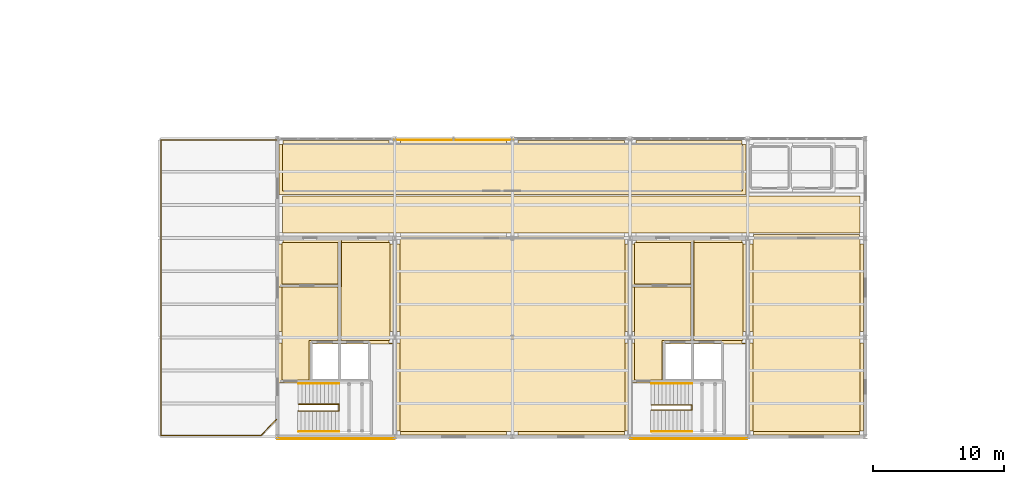
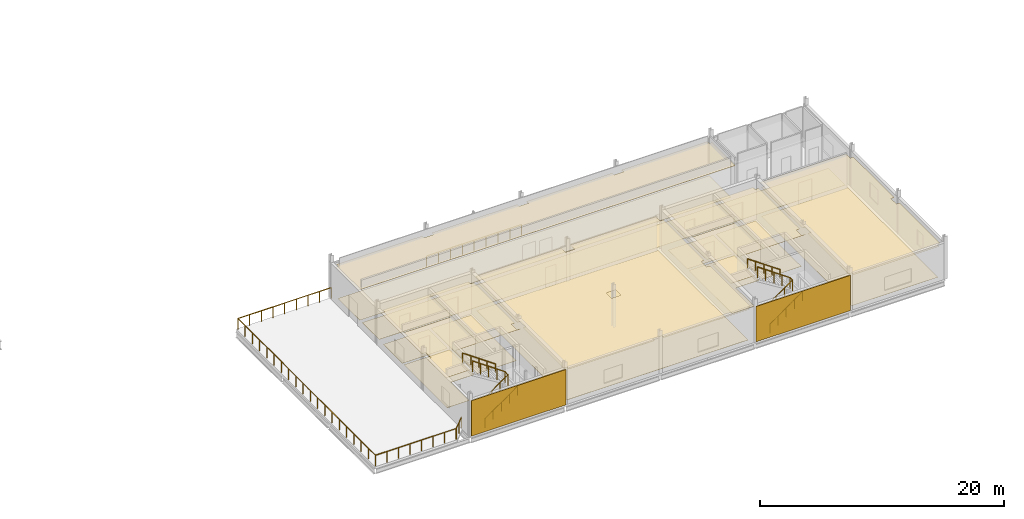
# One storey, part 46 of 48: 21 coverings, 8 railings.
"""IFC4 building model written with IfcOpenShell, lengths in metres."""

from ifc_helpers import new_model, si_unit, direction, frame, origin, origin_2d, place, context, subcontext, project, spatial, polyline, rectangle, circle, outline, extrude, material, layer, layer_set, type_object, element, save


model = new_model("IFC4")

# Units and contexts
model_context = context("Model", 3, precision=1e-05, world=origin(), true_north=direction((0.0, 1.0)))
body_context = subcontext(model_context, "Body", "Model", "MODEL_VIEW")
ifc_project = project(units=[si_unit("LENGTHUNIT", "METRE"), si_unit("AREAUNIT", "SQUARE_METRE"), si_unit("VOLUMEUNIT", "CUBIC_METRE"), si_unit("PLANEANGLEUNIT", "RADIAN"), si_unit("MASSUNIT", "GRAM", prefix="KILO")], contexts=[model_context])

# Site, building, storey
site_placement = place(None, origin())
site = spatial("IfcSite", under=ifc_project, at=site_placement, CompositionType="ELEMENT")
building_placement = place(site_placement, origin())
building = spatial("IfcBuilding", under=site, at=building_placement, Name="Caisbarro Railhouse Central Library", CompositionType="ELEMENT")
storey_placement = place(building_placement, frame((0.0, 0.0, 18.0)))
storey = spatial("IfcBuildingStorey", under=building, at=storey_placement, Name="L04", CompositionType="ELEMENT", Elevation=18.0)

# Coverings
ifc_material_1 = material(Name="Extruded architectural terracotta rainscreen", Category="masonry")
ifc_layer_1 = layer(ifc_material_1, 0.054931640625, Name="Extruded architectural terracotta rainscreen")
ifc_layer_set_1 = layer_set([ifc_layer_1], Name="Extruded architectural terracotta rainscreen")
covering_type_1 = type_object("IfcCoveringType", Name="CLD-TER01", PredefinedType="CLADDING", material=ifc_layer_set_1)
for number, where, z_axis, x_axis, name in (
    (1, (67.5, -0.151611328125, 0.02978515625), (0.0, 0.0, 1.0), (1.0, 0.0, 0.0), "TER01 facade cladding L04-031"),
    (2, (94.5, -0.151611328125, 0.02978515625), (0.0, 0.0, 1.0), (1.0, 0.0, 0.0), "TER01 facade cladding L04-032"),
):
    element("IfcCovering", number, at=place(storey_placement, frame(where, z_axis=z_axis, x_axis=x_axis)), inside=storey, type_object=covering_type_1, Name=name, PredefinedType="CLADDING", context=body_context, shape_type="SweptSolid", body=[
        extrude(rectangle(XDim=8.9599609375, YDim=0.054931640625, at=origin_2d()), origin(), (0.0, 0.0, 1.0), 3.551025390625),
    ])
ifc_material_2 = material(Name="Perforated mineral-fibre acoustic ceiling tile")
ifc_layer_2 = layer(ifc_material_2, 0.01806640625, Name="Perforated mineral-fibre acoustic ceiling tile")
ifc_layer_set_2 = layer_set([ifc_layer_2], Name="Perforated mineral-fibre acoustic ceiling tile")
covering_type_2 = type_object("IfcCoveringType", Name="COV-CL01", PredefinedType="CEILING", material=ifc_layer_set_2)
covering_1_placement = place(storey_placement, frame((0.0, 0.0, 3.25)))
element("IfcCovering", 3, at=covering_1_placement, inside=storey, type_object=covering_type_2, Name="CL01 acoustic ceiling Firefighting Lift Lobby K1", PredefinedType="CEILING", context=body_context, shape_type="SweptSolid", body=[
    extrude(outline(polyline([(63.090087890625, 7.159912109375), (63.43994140625, 7.159912109375), (63.43994140625, 8.0400390625), (63.090087890625, 8.0400390625), (63.090087890625, 11.7099609375), (67.909912109375, 11.7099609375), (67.909912109375, 7.090087890625), (65.7099609375, 7.090087890625), (65.7099609375, 4.090087890625), (63.090087890625, 4.090087890625), (63.090087890625, 7.159912109375)])), origin(), (0.0, 0.0, 1.0), 0.01806640625),
])
covering_2_placement = place(storey_placement, frame((0.0, 0.0, 3.25)))
element("IfcCovering", 4, at=covering_2_placement, inside=storey, type_object=covering_type_2, Name="CL01 acoustic ceiling Lift Lobby K1", PredefinedType="CEILING", context=body_context, shape_type="SweptSolid", body=[
    extrude(outline(polyline([(71.56005859375, 15.110107421875), (71.56005859375, 14.760009765625), (71.909912109375, 14.760009765625), (71.909912109375, 8.0400390625), (71.56005859375, 8.0400390625), (71.56005859375, 7.159912109375), (71.909912109375, 7.159912109375), (71.909912109375, 7.090087890625), (67.639892578125, 7.090087890625), (67.639892578125, 15.110107421875), (71.56005859375, 15.110107421875)])), origin(), (0.0, 0.0, 1.0), 0.01806640625),
])
covering_3_placement = place(storey_placement, frame((0.0, 0.0, 3.25)))
element("IfcCovering", 5, at=covering_3_placement, inside=storey, type_object=covering_type_2, Name="CL01 acoustic ceiling Core Vestibule K1", PredefinedType="CEILING", context=body_context, shape_type="SweptSolid", body=[
    extrude(outline(polyline([(63.090087890625, 14.760009765625), (63.43994140625, 14.760009765625), (63.43994140625, 15.110107421875), (67.909912109375, 15.110107421875), (67.909912109375, 11.43994140625), (63.090087890625, 11.43994140625), (63.090087890625, 14.760009765625)])), origin(), (0.0, 0.0, 1.0), 0.01806640625),
])
covering_4_placement = place(storey_placement, frame((0.0, 0.0, 3.25)))
element("IfcCovering", 6, at=covering_4_placement, inside=storey, type_object=covering_type_2, Name="CL01 acoustic ceiling Firefighting Lift Lobby K2", PredefinedType="CEILING", context=body_context, shape_type="SweptSolid", body=[
    extrude(outline(polyline([(90.090087890625, 7.159912109375), (90.43994140625, 7.159912109375), (90.43994140625, 8.0400390625), (90.090087890625, 8.0400390625), (90.090087890625, 11.7099609375), (94.909912109375, 11.7099609375), (94.909912109375, 7.090087890625), (92.7099609375, 7.090087890625), (92.7099609375, 4.090087890625), (90.090087890625, 4.090087890625), (90.090087890625, 7.159912109375)])), origin(), (0.0, 0.0, 1.0), 0.01806640625),
])
covering_5_placement = place(storey_placement, frame((0.0, 0.0, 3.25)))
element("IfcCovering", 7, at=covering_5_placement, inside=storey, type_object=covering_type_2, Name="CL01 acoustic ceiling Lift Lobby K2", PredefinedType="CEILING", context=body_context, shape_type="SweptSolid", body=[
    extrude(outline(polyline([(98.56005859375, 15.110107421875), (98.56005859375, 14.760009765625), (98.909912109375, 14.760009765625), (98.909912109375, 8.0400390625), (98.56005859375, 8.0400390625), (98.56005859375, 7.159912109375), (98.909912109375, 7.159912109375), (98.909912109375, 7.090087890625), (94.639892578125, 7.090087890625), (94.639892578125, 15.110107421875), (98.56005859375, 15.110107421875)])), origin(), (0.0, 0.0, 1.0), 0.01806640625),
])
covering_6_placement = place(storey_placement, frame((0.0, 0.0, 3.25)))
element("IfcCovering", 8, at=covering_6_placement, inside=storey, type_object=covering_type_2, Name="CL01 acoustic ceiling Core Vestibule K2", PredefinedType="CEILING", context=body_context, shape_type="SweptSolid", body=[
    extrude(outline(polyline([(90.090087890625, 14.760009765625), (90.43994140625, 14.760009765625), (90.43994140625, 15.110107421875), (94.909912109375, 15.110107421875), (94.909912109375, 11.43994140625), (90.090087890625, 11.43994140625), (90.090087890625, 14.760009765625)])), origin(), (0.0, 0.0, 1.0), 0.01806640625),
])
covering_7_placement = place(storey_placement, frame((0.0, 0.0, 3.25)))
element("IfcCovering", 9, at=covering_7_placement, inside=storey, type_object=covering_type_2, Name="CL01 acoustic ceiling Compact Mobile Shelving Hall", PredefinedType="CEILING", context=body_context, shape_type="SweptSolid", body=[
    extrude(outline(polyline([(72.43994140625, 0.43994140625), (72.139892578125, 0.43994140625), (72.139892578125, 7.159912109375), (72.43994140625, 7.159912109375), (72.43994140625, 8.0400390625), (72.139892578125, 8.0400390625), (72.139892578125, 14.760009765625), (72.43994140625, 14.760009765625), (72.43994140625, 15.4599609375), (80.56005859375, 15.4599609375), (80.56005859375, 14.760009765625), (81.43994140625, 14.760009765625), (81.43994140625, 15.4599609375), (89.56005859375, 15.4599609375), (89.56005859375, 14.760009765625), (89.860107421875, 14.760009765625), (89.860107421875, 8.0400390625), (89.56005859375, 8.0400390625), (89.56005859375, 7.159912109375), (89.860107421875, 7.159912109375), (89.860107421875, 0.43994140625), (89.56005859375, 0.43994140625), (89.56005859375, 0.139892578125), (81.43994140625, 0.139892578125), (81.43994140625, 0.43994140625), (80.56005859375, 0.43994140625), (80.56005859375, 0.139892578125), (72.43994140625, 0.139892578125), (72.43994140625, 0.43994140625)]), holes=[polyline([(81.43994140625, 8.0400390625), (80.56005859375, 8.0400390625), (80.56005859375, 7.159912109375), (81.43994140625, 7.159912109375), (81.43994140625, 8.0400390625)])]), origin(), (0.0, 0.0, 1.0), 0.01806640625),
])
covering_8_placement = place(storey_placement, frame((0.0, 0.0, 3.25)))
element("IfcCovering", 10, at=covering_8_placement, inside=storey, type_object=covering_type_2, Name="CL01 acoustic ceiling Historical Newspaper Closed Archive", PredefinedType="CEILING", context=body_context, shape_type="SweptSolid", body=[
    extrude(outline(polyline([(99.139892578125, 0.43994140625), (99.139892578125, 7.159912109375), (99.43994140625, 7.159912109375), (99.43994140625, 8.0400390625), (99.139892578125, 8.0400390625), (99.139892578125, 14.760009765625), (99.43994140625, 14.760009765625), (99.43994140625, 15.4599609375), (107.56005859375, 15.4599609375), (107.56005859375, 14.760009765625), (107.860107421875, 14.760009765625), (107.860107421875, 8.0400390625), (107.56005859375, 8.0400390625), (107.56005859375, 7.159912109375), (107.860107421875, 7.159912109375), (107.860107421875, 0.43994140625), (107.56005859375, 0.43994140625), (107.56005859375, 0.139892578125), (99.43994140625, 0.139892578125), (99.43994140625, 0.43994140625), (99.139892578125, 0.43994140625)])), origin(), (0.0, 0.0, 1.0), 0.01806640625),
])
covering_9_placement = place(storey_placement, frame((0.0, 0.0, 3.25)))
element("IfcCovering", 11, at=covering_9_placement, inside=storey, type_object=covering_type_2, Name="CL01 acoustic ceiling Archival Appraisal Office", PredefinedType="CEILING", context=body_context, shape_type="SweptSolid", body=[
    extrude(outline(polyline([(71.56005859375, 22.360107421875), (72.43994140625, 22.360107421875), (72.43994140625, 22.659912109375), (80.56005859375, 22.659912109375), (80.56005859375, 22.360107421875), (81.43994140625, 22.360107421875), (81.43994140625, 22.659912109375), (89.56005859375, 22.659912109375), (89.56005859375, 22.360107421875), (90.43994140625, 22.360107421875), (90.43994140625, 22.659912109375), (98.56005859375, 22.659912109375), (98.56005859375, 22.360107421875), (98.860107421875, 22.360107421875), (98.860107421875, 18.5400390625), (63.139892578125, 18.5400390625), (63.139892578125, 22.360107421875), (63.43994140625, 22.360107421875), (63.43994140625, 22.659912109375), (71.56005859375, 22.659912109375), (71.56005859375, 22.360107421875)])), origin(), (0.0, 0.0, 1.0), 0.01806640625),
])
ifc_material_3 = material(Name="Polished cementitious terrazzo flooring")
ifc_layer_3 = layer(ifc_material_3, 0.02197265625, Name="Polished cementitious terrazzo flooring")
ifc_layer_set_3 = layer_set([ifc_layer_3], Name="Polished cementitious terrazzo flooring")
covering_type_3 = type_object("IfcCoveringType", Name="COV-FL01", PredefinedType="FLOORING", material=ifc_layer_set_3)
covering_10_placement = place(storey_placement, origin())
element("IfcCovering", 12, at=covering_10_placement, inside=storey, type_object=covering_type_3, Name="FL01 flooring Firefighting Lift Lobby K1", PredefinedType="FLOORING", context=body_context, shape_type="SweptSolid", body=[
    extrude(outline(polyline([(63.35009765625, 4.35009765625), (65.449951171875, 4.35009765625), (65.449951171875, 7.35009765625), (67.64990234375, 7.35009765625), (67.64990234375, 11.449951171875), (63.35009765625, 11.449951171875), (63.35009765625, 4.35009765625)])), origin(), (0.0, 0.0, 1.0), 0.02197265625),
])
covering_11_placement = place(storey_placement, origin())
element("IfcCovering", 13, at=covering_11_placement, inside=storey, type_object=covering_type_3, Name="FL01 flooring Lift Lobby K1", PredefinedType="FLOORING", context=body_context, shape_type="SweptSolid", body=[
    extrude(outline(polyline([(67.89990234375, 7.35009765625), (71.64990234375, 7.35009765625), (71.64990234375, 14.85009765625), (67.89990234375, 14.85009765625), (67.89990234375, 7.35009765625)])), origin(), (0.0, 0.0, 1.0), 0.02197265625),
])
covering_12_placement = place(storey_placement, origin())
element("IfcCovering", 14, at=covering_12_placement, inside=storey, type_object=covering_type_3, Name="FL01 flooring Firefighting Lift Lobby K2", PredefinedType="FLOORING", context=body_context, shape_type="SweptSolid", body=[
    extrude(outline(polyline([(90.35009765625, 4.35009765625), (92.449951171875, 4.35009765625), (92.449951171875, 7.35009765625), (94.64990234375, 7.35009765625), (94.64990234375, 11.449951171875), (90.35009765625, 11.449951171875), (90.35009765625, 4.35009765625)])), origin(), (0.0, 0.0, 1.0), 0.02197265625),
])
covering_13_placement = place(storey_placement, origin())
element("IfcCovering", 15, at=covering_13_placement, inside=storey, type_object=covering_type_3, Name="FL01 flooring Lift Lobby K2", PredefinedType="FLOORING", context=body_context, shape_type="SweptSolid", body=[
    extrude(outline(polyline([(94.89990234375, 7.35009765625), (98.64990234375, 7.35009765625), (98.64990234375, 14.85009765625), (94.89990234375, 14.85009765625), (94.89990234375, 7.35009765625)])), origin(), (0.0, 0.0, 1.0), 0.02197265625),
])
covering_14_placement = place(storey_placement, origin())
element("IfcCovering", 16, at=covering_14_placement, inside=storey, type_object=covering_type_3, Name="FL01 flooring Compact Mobile Shelving Hall", PredefinedType="FLOORING", context=body_context, shape_type="SweptSolid", body=[
    extrude(outline(polyline([(72.39990234375, 0.39990234375), (89.60009765625, 0.39990234375), (89.60009765625, 15.199951171875), (72.39990234375, 15.199951171875), (72.39990234375, 0.39990234375)])), origin(), (0.0, 0.0, 1.0), 0.02197265625),
])
covering_15_placement = place(storey_placement, origin())
element("IfcCovering", 17, at=covering_15_placement, inside=storey, type_object=covering_type_3, Name="FL01 flooring Compact Archive Corridor L04", PredefinedType="FLOORING", context=body_context, shape_type="SweptSolid", body=[
    extrude(outline(polyline([(63.39990234375, 15.60009765625), (107.60009765625, 15.60009765625), (107.60009765625, 18.39990234375), (63.39990234375, 18.39990234375), (63.39990234375, 15.60009765625)])), origin(), (0.0, 0.0, 1.0), 0.02197265625),
])
ifc_material_4 = material(Name="Heavy-duty acoustic linoleum flooring")
ifc_layer_4 = layer(ifc_material_4, 0.011962890625, Name="Heavy-duty acoustic linoleum flooring")
ifc_layer_set_4 = layer_set([ifc_layer_4], Name="Heavy-duty acoustic linoleum flooring")
covering_type_4 = type_object("IfcCoveringType", Name="COV-FL02", PredefinedType="FLOORING", material=ifc_layer_set_4)
covering_16_placement = place(storey_placement, origin())
element("IfcCovering", 18, at=covering_16_placement, inside=storey, type_object=covering_type_4, Name="FL02 flooring Core Vestibule K1", PredefinedType="FLOORING", context=body_context, shape_type="SweptSolid", body=[
    extrude(outline(polyline([(63.35009765625, 11.699951171875), (67.64990234375, 11.699951171875), (67.64990234375, 14.85009765625), (63.35009765625, 14.85009765625), (63.35009765625, 11.699951171875)])), origin(), (0.0, 0.0, 1.0), 0.011962890625),
])
covering_17_placement = place(storey_placement, origin())
element("IfcCovering", 19, at=covering_17_placement, inside=storey, type_object=covering_type_4, Name="FL02 flooring Core Vestibule K2", PredefinedType="FLOORING", context=body_context, shape_type="SweptSolid", body=[
    extrude(outline(polyline([(90.35009765625, 11.699951171875), (94.64990234375, 11.699951171875), (94.64990234375, 14.85009765625), (90.35009765625, 14.85009765625), (90.35009765625, 11.699951171875)])), origin(), (0.0, 0.0, 1.0), 0.011962890625),
])
covering_18_placement = place(storey_placement, origin())
element("IfcCovering", 20, at=covering_18_placement, inside=storey, type_object=covering_type_4, Name="FL02 flooring Historical Newspaper Closed Archive", PredefinedType="FLOORING", context=body_context, shape_type="SweptSolid", body=[
    extrude(outline(polyline([(99.39990234375, 0.39990234375), (107.60009765625, 0.39990234375), (107.60009765625, 15.199951171875), (99.39990234375, 15.199951171875), (99.39990234375, 0.39990234375)])), origin(), (0.0, 0.0, 1.0), 0.011962890625),
])
covering_19_placement = place(storey_placement, origin())
element("IfcCovering", 21, at=covering_19_placement, inside=storey, type_object=covering_type_4, Name="FL02 flooring Archival Appraisal Office", PredefinedType="FLOORING", context=body_context, shape_type="SweptSolid", body=[
    extrude(outline(polyline([(63.39990234375, 18.800048828125), (98.60009765625, 18.800048828125), (98.60009765625, 22.39990234375), (63.39990234375, 22.39990234375), (63.39990234375, 18.800048828125)])), origin(), (0.0, 0.0, 1.0), 0.011962890625),
])

# Railings
ifc_material_5 = material(Name="Laminated safety glass balustrade with stainless top rail", Category="glass")
railing_type_1 = type_object("IfcRailingType", Name="RLG-ATR112", PredefinedType="GUARDRAIL", material=ifc_material_5)
railing_1_placement = place(storey_placement, frame((72.0, 22.699951171875, 0.0)))
element("IfcRailing", 22, at=railing_1_placement, inside=storey, type_object=railing_type_1, Name="RG02 Interior Void Balustrade L04-27", PredefinedType="GUARDRAIL", context=body_context, shape_type="SweptSolid", body=[
    extrude(circle(Radius=0.02392578125, at=origin_2d()), frame((0.0, 0.0, 1.09619140625), z_axis=(1.0, 0.0, 0.0), x_axis=(0.0, 1.0, 0.0)), (0.0, 0.0, 1.0), 9.0),
    extrude(circle(Radius=0.02099609375, at=origin_2d()), origin(), (0.0, 0.0, 1.0), 1.072021484375),
    extrude(circle(Radius=0.02099609375, at=origin_2d()), frame((1.125, 0.0, 0.0)), (0.0, 0.0, 1.0), 1.072021484375),
    extrude(circle(Radius=0.02099609375, at=origin_2d()), frame((2.25, 0.0, 0.0)), (0.0, 0.0, 1.0), 1.072021484375),
    extrude(circle(Radius=0.02099609375, at=origin_2d()), frame((3.375, 0.0, 0.0)), (0.0, 0.0, 1.0), 1.072021484375),
    extrude(circle(Radius=0.02099609375, at=origin_2d()), frame((4.5, 0.0, 0.0)), (0.0, 0.0, 1.0), 1.072021484375),
    extrude(circle(Radius=0.02099609375, at=origin_2d()), frame((5.625, 0.0, 0.0)), (0.0, 0.0, 1.0), 1.072021484375),
    extrude(circle(Radius=0.02099609375, at=origin_2d()), frame((6.75, 0.0, 0.0)), (0.0, 0.0, 1.0), 1.072021484375),
    extrude(circle(Radius=0.02099609375, at=origin_2d()), frame((7.875, 0.0, 0.0)), (0.0, 0.0, 1.0), 1.072021484375),
    extrude(circle(Radius=0.02099609375, at=origin_2d()), frame((9.0, 0.0, 0.0)), (0.0, 0.0, 1.0), 1.072021484375),
])
ifc_material_6 = material(Name="Brushed stainless steel Grade 316", Category="steel")
railing_type_2 = type_object("IfcRailingType", Name="RLG-EXT110", PredefinedType="GUARDRAIL", material=ifc_material_6)
railing_2_placement = place(storey_placement, frame((62.949951171875, 22.699951171875, 0.0)))
element("IfcRailing", 23, at=railing_2_placement, inside=storey, type_object=railing_type_2, Name="RG01 Terrace Guardrail TR-L04-S", PredefinedType="GUARDRAIL", context=body_context, shape_type="SweptSolid", body=[
    extrude(circle(Radius=0.02392578125, at=origin_2d()), frame((0.0, 0.0, 1.076171875), z_axis=(-1.0, 0.0, 0.0), x_axis=(0.0, -1.0, 0.0)), (0.0, 0.0, 1.0), 8.849853515625),
    extrude(circle(Radius=0.02392578125, at=origin_2d()), frame((-8.849853515625, 0.0, 1.076171875), z_axis=(0.0, -1.0, 0.0), x_axis=(1.0, 0.0, 0.0)), (0.0, 0.0, 1.0), 22.599853515625),
    extrude(circle(Radius=0.02392578125, at=origin_2d()), frame((-8.849853515625, -22.599853515625, 1.076171875), z_axis=(1.0, 0.0, 0.0), x_axis=(0.0, 1.0, 0.0)), (0.0, 0.0, 1.0), 7.64990234375),
    extrude(circle(Radius=0.02392578125, at=origin_2d()), frame((-1.199951171875, -22.599853515625, 1.076171875), z_axis=(0.707106781187, 0.707106781187, 0.0), x_axis=(-0.707106781187, 0.707106781187, 0.0)), (0.0, 0.0, 1.0), 1.697021484375),
    extrude(circle(Radius=0.02099609375, at=origin_2d()), origin(), (0.0, 0.0, 1.0), 1.052001953125),
    extrude(circle(Radius=0.02099609375, at=origin_2d()), frame((-1.106201171875, 0.0, 0.0)), (0.0, 0.0, 1.0), 1.052001953125),
    extrude(circle(Radius=0.02099609375, at=origin_2d()), frame((-2.21240234375, 0.0, 0.0)), (0.0, 0.0, 1.0), 1.052001953125),
    extrude(circle(Radius=0.02099609375, at=origin_2d()), frame((-3.318603515625, 0.0, 0.0)), (0.0, 0.0, 1.0), 1.052001953125),
    extrude(circle(Radius=0.02099609375, at=origin_2d()), frame((-4.4248046875, 0.0, 0.0)), (0.0, 0.0, 1.0), 1.052001953125),
    extrude(circle(Radius=0.02099609375, at=origin_2d()), frame((-5.53125, 0.0, 0.0)), (0.0, 0.0, 1.0), 1.052001953125),
    extrude(circle(Radius=0.02099609375, at=origin_2d()), frame((-6.637451171875, 0.0, 0.0)), (0.0, 0.0, 1.0), 1.052001953125),
    extrude(circle(Radius=0.02099609375, at=origin_2d()), frame((-7.74365234375, 0.0, 0.0)), (0.0, 0.0, 1.0), 1.052001953125),
    extrude(circle(Radius=0.02099609375, at=origin_2d()), frame((-8.849853515625, 0.0, 0.0)), (0.0, 0.0, 1.0), 1.052001953125),
    extrude(circle(Radius=0.02099609375, at=origin_2d()), frame((-8.849853515625, -1.189453125, 0.0)), (0.0, 0.0, 1.0), 1.052001953125),
    extrude(circle(Radius=0.02099609375, at=origin_2d()), frame((-8.849853515625, -2.37890625, 0.0)), (0.0, 0.0, 1.0), 1.052001953125),
    extrude(circle(Radius=0.02099609375, at=origin_2d()), frame((-8.849853515625, -3.568359375, 0.0)), (0.0, 0.0, 1.0), 1.052001953125),
    extrude(circle(Radius=0.02099609375, at=origin_2d()), frame((-8.849853515625, -4.7578125, 0.0)), (0.0, 0.0, 1.0), 1.052001953125),
    extrude(circle(Radius=0.02099609375, at=origin_2d()), frame((-8.849853515625, -5.947265625, 0.0)), (0.0, 0.0, 1.0), 1.052001953125),
    extrude(circle(Radius=0.02099609375, at=origin_2d()), frame((-8.849853515625, -7.13671875, 0.0)), (0.0, 0.0, 1.0), 1.052001953125),
    extrude(circle(Radius=0.02099609375, at=origin_2d()), frame((-8.849853515625, -8.326171875, 0.0)), (0.0, 0.0, 1.0), 1.052001953125),
    extrude(circle(Radius=0.02099609375, at=origin_2d()), frame((-8.849853515625, -9.515625, 0.0)), (0.0, 0.0, 1.0), 1.052001953125),
    extrude(circle(Radius=0.02099609375, at=origin_2d()), frame((-8.849853515625, -10.705078125, 0.0)), (0.0, 0.0, 1.0), 1.052001953125),
    extrude(circle(Radius=0.02099609375, at=origin_2d()), frame((-8.849853515625, -11.894775390625, 0.0)), (0.0, 0.0, 1.0), 1.052001953125),
    extrude(circle(Radius=0.02099609375, at=origin_2d()), frame((-8.849853515625, -13.084228515625, 0.0)), (0.0, 0.0, 1.0), 1.052001953125),
    extrude(circle(Radius=0.02099609375, at=origin_2d()), frame((-8.849853515625, -14.273681640625, 0.0)), (0.0, 0.0, 1.0), 1.052001953125),
    extrude(circle(Radius=0.02099609375, at=origin_2d()), frame((-8.849853515625, -15.463134765625, 0.0)), (0.0, 0.0, 1.0), 1.052001953125),
    extrude(circle(Radius=0.02099609375, at=origin_2d()), frame((-8.849853515625, -16.652587890625, 0.0)), (0.0, 0.0, 1.0), 1.052001953125),
    extrude(circle(Radius=0.02099609375, at=origin_2d()), frame((-8.849853515625, -17.842041015625, 0.0)), (0.0, 0.0, 1.0), 1.052001953125),
    extrude(circle(Radius=0.02099609375, at=origin_2d()), frame((-8.849853515625, -19.031494140625, 0.0)), (0.0, 0.0, 1.0), 1.052001953125),
    extrude(circle(Radius=0.02099609375, at=origin_2d()), frame((-8.849853515625, -20.220947265625, 0.0)), (0.0, 0.0, 1.0), 1.052001953125),
    extrude(circle(Radius=0.02099609375, at=origin_2d()), frame((-8.849853515625, -21.410400390625, 0.0)), (0.0, 0.0, 1.0), 1.052001953125),
    extrude(circle(Radius=0.02099609375, at=origin_2d()), frame((-8.849853515625, -22.599853515625, 0.0)), (0.0, 0.0, 1.0), 1.052001953125),
    extrude(circle(Radius=0.02099609375, at=origin_2d()), frame((-7.757080078125, -22.599853515625, 0.0)), (0.0, 0.0, 1.0), 1.052001953125),
    extrude(circle(Radius=0.02099609375, at=origin_2d()), frame((-6.6640625, -22.599853515625, 0.0)), (0.0, 0.0, 1.0), 1.052001953125),
    extrude(circle(Radius=0.02099609375, at=origin_2d()), frame((-5.5712890625, -22.599853515625, 0.0)), (0.0, 0.0, 1.0), 1.052001953125),
    extrude(circle(Radius=0.02099609375, at=origin_2d()), frame((-4.478515625, -22.599853515625, 0.0)), (0.0, 0.0, 1.0), 1.052001953125),
    extrude(circle(Radius=0.02099609375, at=origin_2d()), frame((-3.3857421875, -22.599853515625, 0.0)), (0.0, 0.0, 1.0), 1.052001953125),
    extrude(circle(Radius=0.02099609375, at=origin_2d()), frame((-2.292724609375, -22.599853515625, 0.0)), (0.0, 0.0, 1.0), 1.052001953125),
    extrude(circle(Radius=0.02099609375, at=origin_2d()), frame((-1.199951171875, -22.599853515625, 0.0)), (0.0, 0.0, 1.0), 1.052001953125),
    extrude(circle(Radius=0.02099609375, at=origin_2d()), frame((-0.60009765625, -22.0, 0.0)), (0.0, 0.0, 1.0), 1.052001953125),
    extrude(circle(Radius=0.02099609375, at=origin_2d()), frame((0.0, -21.39990234375, 0.0)), (0.0, 0.0, 1.0), 1.052001953125),
])
railing_type_3 = type_object("IfcRailingType", Name="RLG-STR092", PredefinedType="HANDRAIL", material=ifc_material_6)
railing_3_placement = place(storey_placement, frame((64.64990234375, 0.389892578125, 0.0)))
element("IfcRailing", 24, at=railing_3_placement, inside=storey, type_object=railing_type_3, Name="Stair ST-01 Outer Handrail F1 L04", PredefinedType="HANDRAIL", context=body_context, shape_type="SweptSolid", body=[
    extrude(circle(Radius=0.02392578125, at=origin_2d()), frame((0.0, 0.0, 0.89599609375), z_axis=(0.819624179701, 0.0, 0.572901565759), x_axis=(0.0, 1.0, 0.0)), (0.0, 0.0, 1.0), 3.77001953125),
    extrude(circle(Radius=0.02099609375, at=origin_2d()), origin(), (0.0, 0.0, 1.0), 0.871826171875),
    extrude(circle(Radius=0.02099609375, at=origin_2d()), frame((0.7724609375, 0.0, 0.5400390625)), (0.0, 0.0, 1.0), 0.871826171875),
    extrude(circle(Radius=0.02099609375, at=origin_2d()), frame((1.544921875, 0.0, 1.080078125)), (0.0, 0.0, 1.0), 0.871826171875),
    extrude(circle(Radius=0.02099609375, at=origin_2d()), frame((2.317626953125, 0.0, 1.619873046875)), (0.0, 0.0, 1.0), 0.871826171875),
    extrude(circle(Radius=0.02099609375, at=origin_2d()), frame((3.090087890625, 0.0, 2.159912109375)), (0.0, 0.0, 1.0), 0.871826171875),
])
railing_4_placement = place(storey_placement, frame((67.739990234375, 4.06005859375, 2.159912109375)))
element("IfcRailing", 25, at=railing_4_placement, inside=storey, type_object=railing_type_3, Name="Stair ST-01 Outer Handrail F2 L04", PredefinedType="HANDRAIL", context=body_context, shape_type="SweptSolid", body=[
    extrude(circle(Radius=0.02392578125, at=origin_2d()), frame((0.0, 0.0, 0.89599609375), z_axis=(-0.819593772312, 0.0, 0.572945065767), x_axis=(0.0, -1.0, 0.0)), (0.0, 0.0, 1.0), 3.770263671875),
    extrude(circle(Radius=0.02099609375, at=origin_2d()), origin(), (0.0, 0.0, 1.0), 0.871826171875),
    extrude(circle(Radius=0.02099609375, at=origin_2d()), frame((-0.7724609375, 0.0, 0.5400390625)), (0.0, 0.0, 1.0), 0.871826171875),
    extrude(circle(Radius=0.02099609375, at=origin_2d()), frame((-1.544921875, 0.0, 1.080078125)), (0.0, 0.0, 1.0), 0.871826171875),
    extrude(circle(Radius=0.02099609375, at=origin_2d()), frame((-2.317626953125, 0.0, 1.6201171875)), (0.0, 0.0, 1.0), 0.871826171875),
    extrude(circle(Radius=0.02099609375, at=origin_2d()), frame((-3.090087890625, 0.0, 2.16015625)), (0.0, 0.0, 1.0), 0.871826171875),
])
railing_5_placement = place(storey_placement, frame((91.64990234375, 0.389892578125, 0.0)))
element("IfcRailing", 26, at=railing_5_placement, inside=storey, type_object=railing_type_3, Name="Stair ST-02 Outer Handrail F1 L04", PredefinedType="HANDRAIL", context=body_context, shape_type="SweptSolid", body=[
    extrude(circle(Radius=0.02392578125, at=origin_2d()), frame((0.0, 0.0, 0.89599609375), z_axis=(0.819624179701, 0.0, 0.572901565759), x_axis=(0.0, 1.0, 0.0)), (0.0, 0.0, 1.0), 3.77001953125),
    extrude(circle(Radius=0.02099609375, at=origin_2d()), origin(), (0.0, 0.0, 1.0), 0.871826171875),
    extrude(circle(Radius=0.02099609375, at=origin_2d()), frame((0.7724609375, 0.0, 0.5400390625)), (0.0, 0.0, 1.0), 0.871826171875),
    extrude(circle(Radius=0.02099609375, at=origin_2d()), frame((1.544921875, 0.0, 1.080078125)), (0.0, 0.0, 1.0), 0.871826171875),
    extrude(circle(Radius=0.02099609375, at=origin_2d()), frame((2.317626953125, 0.0, 1.619873046875)), (0.0, 0.0, 1.0), 0.871826171875),
    extrude(circle(Radius=0.02099609375, at=origin_2d()), frame((3.090087890625, 0.0, 2.159912109375)), (0.0, 0.0, 1.0), 0.871826171875),
])
railing_6_placement = place(storey_placement, frame((94.739990234375, 4.06005859375, 2.159912109375)))
element("IfcRailing", 27, at=railing_6_placement, inside=storey, type_object=railing_type_3, Name="Stair ST-02 Outer Handrail F2 L04", PredefinedType="HANDRAIL", context=body_context, shape_type="SweptSolid", body=[
    extrude(circle(Radius=0.02392578125, at=origin_2d()), frame((0.0, 0.0, 0.89599609375), z_axis=(-0.819593772312, 0.0, 0.572945065767), x_axis=(0.0, -1.0, 0.0)), (0.0, 0.0, 1.0), 3.770263671875),
    extrude(circle(Radius=0.02099609375, at=origin_2d()), origin(), (0.0, 0.0, 1.0), 0.871826171875),
    extrude(circle(Radius=0.02099609375, at=origin_2d()), frame((-0.7724609375, 0.0, 0.5400390625)), (0.0, 0.0, 1.0), 0.871826171875),
    extrude(circle(Radius=0.02099609375, at=origin_2d()), frame((-1.544921875, 0.0, 1.080078125)), (0.0, 0.0, 1.0), 0.871826171875),
    extrude(circle(Radius=0.02099609375, at=origin_2d()), frame((-2.317626953125, 0.0, 1.6201171875)), (0.0, 0.0, 1.0), 0.871826171875),
    extrude(circle(Radius=0.02099609375, at=origin_2d()), frame((-3.090087890625, 0.0, 2.16015625)), (0.0, 0.0, 1.0), 0.871826171875),
])
railing_type_4 = type_object("IfcRailingType", Name="RLG-STR110", PredefinedType="GUARDRAIL", material=ifc_material_6)
railing_7_placement = place(storey_placement, frame((64.64990234375, 1.969970703125, 0.0)))
element("IfcRailing", 28, at=railing_7_placement, inside=storey, type_object=railing_type_4, Name="Stair ST-01 Inner Well Guardrail L04", PredefinedType="GUARDRAIL", context=body_context, shape_type="SweptSolid", body=[
    extrude(circle(Radius=0.02392578125, at=origin_2d()), frame((0.0, 0.0, 1.076171875), z_axis=(0.819624179701, 0.0, 0.572901565759), x_axis=(0.0, 1.0, 0.0)), (0.0, 0.0, 1.0), 3.77001953125),
    extrude(circle(Radius=0.02392578125, at=origin_2d()), frame((3.090087890625, 0.0, 3.23583984375), z_axis=(0.0, 1.0, 0.0), x_axis=(-1.0, 0.0, 0.0)), (0.0, 0.0, 1.0), 0.510009765625),
    extrude(circle(Radius=0.02392578125, at=origin_2d()), frame((3.090087890625, 0.510009765625, 3.23583984375), z_axis=(-0.819593772312, 0.0, 0.572945065767), x_axis=(0.0, -1.0, 0.0)), (0.0, 0.0, 1.0), 3.770263671875),
    extrude(circle(Radius=0.02099609375, at=origin_2d()), origin(), (0.0, 0.0, 1.0), 1.052001953125),
    extrude(circle(Radius=0.02099609375, at=origin_2d()), frame((0.7724609375, 0.0, 0.5400390625)), (0.0, 0.0, 1.0), 1.052001953125),
    extrude(circle(Radius=0.02099609375, at=origin_2d()), frame((1.544921875, 0.0, 1.080078125)), (0.0, 0.0, 1.0), 1.052001953125),
    extrude(circle(Radius=0.02099609375, at=origin_2d()), frame((2.317626953125, 0.0, 1.619873046875)), (0.0, 0.0, 1.0), 1.052001953125),
    extrude(circle(Radius=0.02099609375, at=origin_2d()), frame((3.090087890625, 0.0, 2.159912109375)), (0.0, 0.0, 1.0), 1.052001953125),
    extrude(circle(Radius=0.02099609375, at=origin_2d()), frame((3.090087890625, 0.510009765625, 2.159912109375)), (0.0, 0.0, 1.0), 1.052001953125),
    extrude(circle(Radius=0.02099609375, at=origin_2d()), frame((2.317626953125, 0.510009765625, 2.699951171875)), (0.0, 0.0, 1.0), 1.052001953125),
    extrude(circle(Radius=0.02099609375, at=origin_2d()), frame((1.544921875, 0.510009765625, 3.239990234375)), (0.0, 0.0, 1.0), 1.052001953125),
    extrude(circle(Radius=0.02099609375, at=origin_2d()), frame((0.7724609375, 0.510009765625, 3.780029296875)), (0.0, 0.0, 1.0), 1.052001953125),
    extrude(circle(Radius=0.02099609375, at=origin_2d()), frame((0.0, 0.510009765625, 4.320068359375)), (0.0, 0.0, 1.0), 1.052001953125),
])
railing_8_placement = place(storey_placement, frame((91.64990234375, 2.030029296875, 0.0)))
element("IfcRailing", 29, at=railing_8_placement, inside=storey, type_object=railing_type_4, Name="Stair ST-02 Inner Well Guardrail L04", PredefinedType="GUARDRAIL", context=body_context, shape_type="SweptSolid", body=[
    extrude(circle(Radius=0.02392578125, at=origin_2d()), frame((0.0, 0.0, 1.076171875), z_axis=(0.819624179701, 0.0, 0.572901565759), x_axis=(0.0, 1.0, 0.0)), (0.0, 0.0, 1.0), 3.77001953125),
    extrude(circle(Radius=0.02392578125, at=origin_2d()), frame((3.090087890625, 0.0, 3.23583984375), z_axis=(0.0, 1.0, 0.0), x_axis=(-1.0, 0.0, 0.0)), (0.0, 0.0, 1.0), 0.389892578125),
    extrude(circle(Radius=0.02392578125, at=origin_2d()), frame((3.090087890625, 0.389892578125, 3.23583984375), z_axis=(-0.819593772312, 0.0, 0.572945065767), x_axis=(0.0, -1.0, 0.0)), (0.0, 0.0, 1.0), 3.770263671875),
    extrude(circle(Radius=0.02099609375, at=origin_2d()), origin(), (0.0, 0.0, 1.0), 1.052001953125),
    extrude(circle(Radius=0.02099609375, at=origin_2d()), frame((0.7724609375, 0.0, 0.5400390625)), (0.0, 0.0, 1.0), 1.052001953125),
    extrude(circle(Radius=0.02099609375, at=origin_2d()), frame((1.544921875, 0.0, 1.080078125)), (0.0, 0.0, 1.0), 1.052001953125),
    extrude(circle(Radius=0.02099609375, at=origin_2d()), frame((2.317626953125, 0.0, 1.619873046875)), (0.0, 0.0, 1.0), 1.052001953125),
    extrude(circle(Radius=0.02099609375, at=origin_2d()), frame((3.090087890625, 0.0, 2.159912109375)), (0.0, 0.0, 1.0), 1.052001953125),
    extrude(circle(Radius=0.02099609375, at=origin_2d()), frame((3.090087890625, 0.389892578125, 2.159912109375)), (0.0, 0.0, 1.0), 1.052001953125),
    extrude(circle(Radius=0.02099609375, at=origin_2d()), frame((2.317626953125, 0.389892578125, 2.699951171875)), (0.0, 0.0, 1.0), 1.052001953125),
    extrude(circle(Radius=0.02099609375, at=origin_2d()), frame((1.544921875, 0.389892578125, 3.239990234375)), (0.0, 0.0, 1.0), 1.052001953125),
    extrude(circle(Radius=0.02099609375, at=origin_2d()), frame((0.7724609375, 0.389892578125, 3.780029296875)), (0.0, 0.0, 1.0), 1.052001953125),
    extrude(circle(Radius=0.02099609375, at=origin_2d()), frame((0.0, 0.389892578125, 4.320068359375)), (0.0, 0.0, 1.0), 1.052001953125),
])

save(model, "model.ifc")
